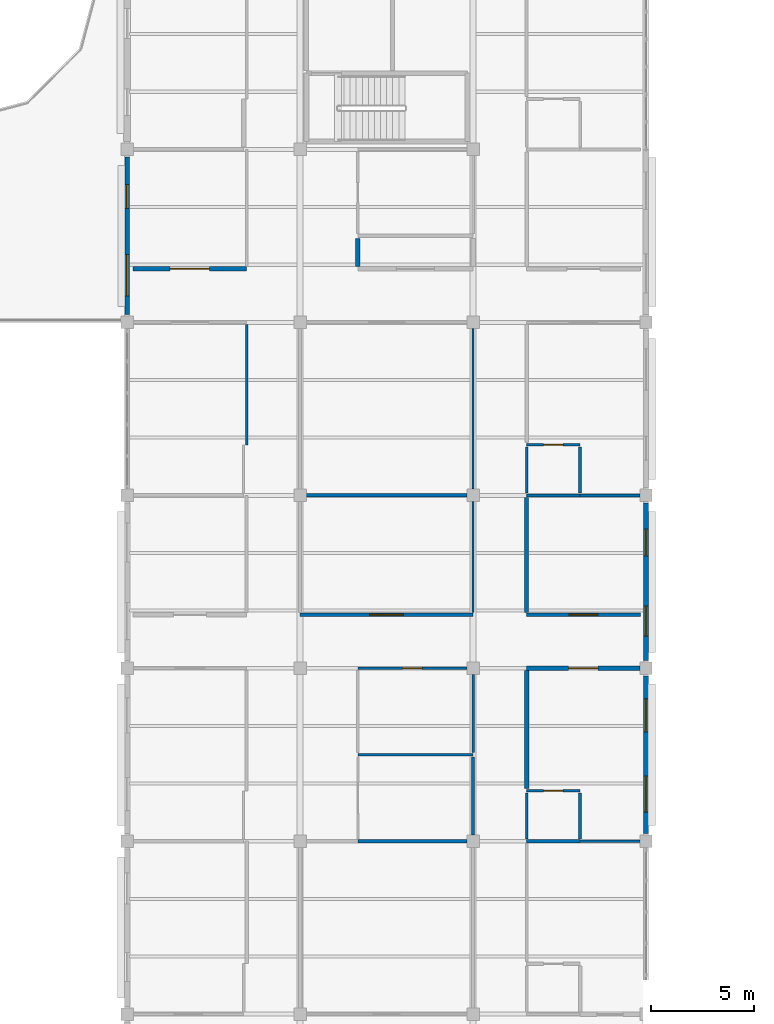
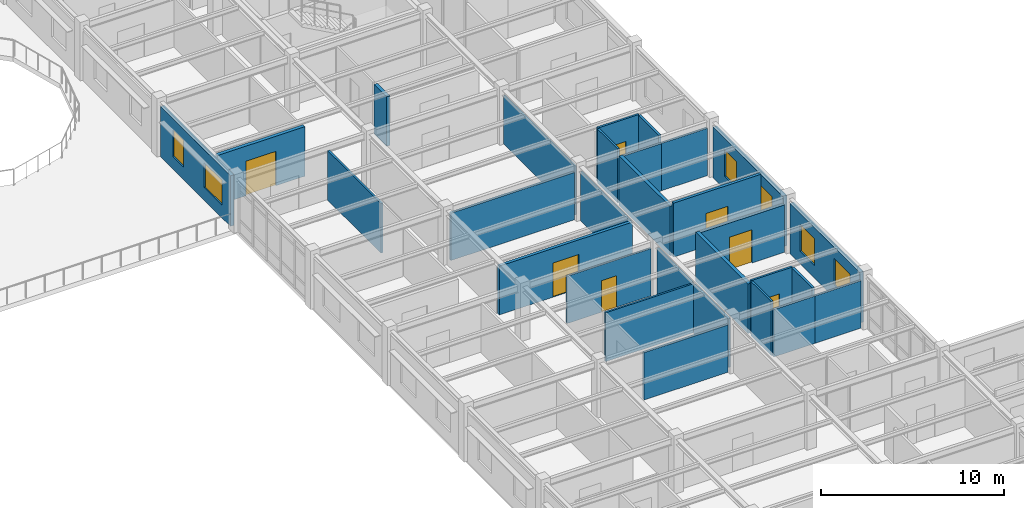
# One storey, part 54 of 86: 29 walls, 7 doors, 6 windows, 13 openings.
"""IFC4 building model written with IfcOpenShell, lengths in metres."""

from ifc_helpers import new_model, si_unit, direction, frame, frame_2d, origin, place, context, subcontext, project, spatial, rectangle, extrude, material, layer, layer_set, type_object, element, fill, save


model = new_model("IFC4")

# Units and contexts
model_context = context("Model", 3, precision=1e-05, world=origin(), true_north=direction((0.0, 1.0)))
body_context = subcontext(model_context, "Body", "Model", "MODEL_VIEW")
ifc_project = project(units=[si_unit("LENGTHUNIT", "METRE"), si_unit("AREAUNIT", "SQUARE_METRE"), si_unit("VOLUMEUNIT", "CUBIC_METRE"), si_unit("PLANEANGLEUNIT", "RADIAN"), si_unit("MASSUNIT", "GRAM", prefix="KILO")], contexts=[model_context])

# Site, building, storey
site_placement = place(None, origin())
site = spatial("IfcSite", under=ifc_project, at=site_placement, CompositionType="ELEMENT")
building_placement = place(site_placement, origin())
building = spatial("IfcBuilding", under=site, at=building_placement, Name="Bramfleet General Hospital", CompositionType="ELEMENT")
storey_placement = place(building_placement, frame((0.0, 0.0, 18.60009765625)))
storey = spatial("IfcBuildingStorey", under=building, at=storey_placement, Name="L04", CompositionType="ELEMENT", Elevation=18.60009765625)

# Wall, openings, windows
ifc_material_1 = material(Name="Precast concrete C40/50", Category="concrete")
ifc_layer_1 = layer(ifc_material_1, 0.25, Name="WT-EW-08")
ifc_layer_set_1 = layer_set([ifc_layer_1], Name="Precast concrete C40/50")
wall_type_1 = type_object("IfcWallType", Name="WT-EW-08", PredefinedType="SOLIDWALL", material=ifc_layer_set_1)
wall_1_placement = place(storey_placement, frame((117.60009765625, 50.02490234375, 0.0), z_axis=(0.0, 0.0, 1.0), x_axis=(0.0, -1.0, 0.0)))
wall_1 = element("IfcWall", 1, at=wall_1_placement, inside=storey, type_object=wall_type_1, Name="L04 Exterior Wall 307", PredefinedType="SOLIDWALL", context=body_context, shape_type="SweptSolid", body=[
    extrude(rectangle(XDim=7.64990234375, YDim=0.25, at=frame_2d((3.824951171875, 0.0))), origin(), (0.0, 0.0, 1.0), 3.3798828125),
])
opening_1_placement = place(wall_1_placement, frame((1.262451171875, 0.0, 0.85009765625)))
opening_1 = element("IfcOpeningElement", 2, at=opening_1_placement, cuts=wall_1, Name="Opening W-42", PredefinedType="OPENING", context=body_context, shape_type="SweptSolid", body=[
    extrude(rectangle(XDim=1.300048828125, YDim=1.780029296875, at=frame_2d((0.64990234375, 0.89013671875))), frame((0.0, 0.135009765625, 0.0), z_axis=(0.0, -1.0, 0.0), x_axis=(1.0, 0.0, 0.0)), (0.0, 0.0, 1.0), 0.27001953125),
])
opening_2_placement = place(wall_1_placement, frame((5.012451171875, 0.0, 0.85009765625)))
opening_2 = element("IfcOpeningElement", 3, at=opening_2_placement, cuts=wall_1, Name="Opening W-43", PredefinedType="OPENING", context=body_context, shape_type="SweptSolid", body=[
    extrude(rectangle(XDim=1.449951171875, YDim=1.780029296875, at=frame_2d((0.72509765625, 0.89013671875))), frame((0.0, 0.135009765625, 0.0), z_axis=(0.0, -1.0, 0.0), x_axis=(1.0, 0.0, 0.0)), (0.0, 0.0, 1.0), 0.27001953125),
])
ifc_material_2 = material(Name="Anodised aluminium and low-E triple glazing", Category="aluminium")
window_type_1 = type_object("IfcWindowType", Name="WIN-W-42", PartitioningType="SINGLE_PANEL", PredefinedType="WINDOW", material=ifc_material_2)
window_1_placement = place(opening_1_placement, origin())
window_1 = element("IfcWindow", 4, at=window_1_placement, inside=storey, type_object=window_type_1, Name="L04 Facade Window WIN-L04-307-1", OverallHeight=1.780029296875, OverallWidth=1.300048828125, PartitioningType="SINGLE_PANEL", PredefinedType="WINDOW", context=body_context, shape_type="SweptSolid", body=[
    extrude(rectangle(XDim=1.300048828125, YDim=1.780029296875, at=frame_2d((0.64990234375, 0.89013671875))), frame((0.0, 0.030029296875, 0.0), z_axis=(0.0, -1.0, 0.0), x_axis=(1.0, 0.0, 0.0)), (0.0, 0.0, 1.0), 0.06005859375),
])
fill(opening_1, window_1)
window_type_2 = type_object("IfcWindowType", Name="WIN-W-43", PartitioningType="SINGLE_PANEL", PredefinedType="WINDOW", material=ifc_material_2)
window_2_placement = place(opening_2_placement, origin())
window_2 = element("IfcWindow", 5, at=window_2_placement, inside=storey, type_object=window_type_2, Name="L04 Facade Window WIN-L04-307-2", OverallHeight=1.780029296875, OverallWidth=1.449951171875, PartitioningType="SINGLE_PANEL", PredefinedType="WINDOW", context=body_context, shape_type="SweptSolid", body=[
    extrude(rectangle(XDim=1.449951171875, YDim=1.780029296875, at=frame_2d((0.72509765625, 0.89013671875))), frame((0.0, 0.030029296875, 0.0), z_axis=(0.0, -1.0, 0.0), x_axis=(1.0, 0.0, 0.0)), (0.0, 0.0, 1.0), 0.06005859375),
])
fill(opening_2, window_2)

ifc_layer_2 = layer(ifc_material_1, 0.235107421875, Name="WT-EW-09")
ifc_layer_set_2 = layer_set([ifc_layer_2], Name="Precast concrete C40/50")
wall_type_2 = type_object("IfcWallType", Name="WT-EW-09", PredefinedType="SOLIDWALL", material=ifc_layer_set_2)
wall_2_placement = place(storey_placement, frame((117.60009765625, 41.625, 0.0), z_axis=(0.0, 0.0, 1.0), x_axis=(0.0, -1.0, 0.0)))
wall_2 = element("IfcWall", 6, at=wall_2_placement, inside=storey, type_object=wall_type_2, Name="L04 Exterior Wall 308", PredefinedType="SOLIDWALL", context=body_context, shape_type="SweptSolid", body=[
    extrude(rectangle(XDim=7.64990234375, YDim=0.235107421875, at=frame_2d((3.824951171875, 0.0))), origin(), (0.0, 0.0, 1.0), 3.3798828125),
])
opening_3_placement = place(wall_2_placement, frame((1.112548828125, 0.0, 0.85009765625)))
opening_3 = element("IfcOpeningElement", 7, at=opening_3_placement, cuts=wall_2, Name="Opening W-44", PredefinedType="OPENING", context=body_context, shape_type="SweptSolid", body=[
    extrude(rectangle(XDim=1.60009765625, YDim=1.780029296875, at=frame_2d((0.800048828125, 0.89013671875))), frame((0.0, 0.12744140625, 0.0), z_axis=(0.0, -1.0, 0.0), x_axis=(1.0, 0.0, 0.0)), (0.0, 0.0, 1.0), 0.255126953125),
])
opening_4_placement = place(wall_2_placement, frame((4.862548828125, 0.0, 0.85009765625)))
opening_4 = element("IfcOpeningElement", 8, at=opening_4_placement, cuts=wall_2, Name="Opening W-45", PredefinedType="OPENING", context=body_context, shape_type="SweptSolid", body=[
    extrude(rectangle(XDim=1.75, YDim=1.780029296875, at=frame_2d((0.875, 0.89013671875))), frame((0.0, 0.12744140625, 0.0), z_axis=(0.0, -1.0, 0.0), x_axis=(1.0, 0.0, 0.0)), (0.0, 0.0, 1.0), 0.255126953125),
])
window_type_3 = type_object("IfcWindowType", Name="WIN-W-44", PartitioningType="SINGLE_PANEL", PredefinedType="WINDOW", material=ifc_material_2)
window_3_placement = place(opening_3_placement, origin())
window_3 = element("IfcWindow", 9, at=window_3_placement, inside=storey, type_object=window_type_3, Name="L04 Facade Window WIN-L04-308-1", OverallHeight=1.780029296875, OverallWidth=1.60009765625, PartitioningType="SINGLE_PANEL", PredefinedType="WINDOW", context=body_context, shape_type="SweptSolid", body=[
    extrude(rectangle(XDim=1.60009765625, YDim=1.780029296875, at=frame_2d((0.800048828125, 0.89013671875))), frame((0.0, 0.030029296875, 0.0), z_axis=(0.0, -1.0, 0.0), x_axis=(1.0, 0.0, 0.0)), (0.0, 0.0, 1.0), 0.06005859375),
])
fill(opening_3, window_3)
window_type_4 = type_object("IfcWindowType", Name="WIN-W-45", PartitioningType="SINGLE_PANEL", PredefinedType="WINDOW", material=ifc_material_2)
window_4_placement = place(opening_4_placement, origin())
window_4 = element("IfcWindow", 10, at=window_4_placement, inside=storey, type_object=window_type_4, Name="L04 Facade Window WIN-L04-308-2", OverallHeight=1.780029296875, OverallWidth=1.75, PartitioningType="SINGLE_PANEL", PredefinedType="WINDOW", context=body_context, shape_type="SweptSolid", body=[
    extrude(rectangle(XDim=1.75, YDim=1.780029296875, at=frame_2d((0.875, 0.89013671875))), frame((0.0, 0.030029296875, 0.0), z_axis=(0.0, -1.0, 0.0), x_axis=(1.0, 0.0, 0.0)), (0.0, 0.0, 1.0), 0.06005859375),
])
fill(opening_4, window_4)

wall_3_placement = place(storey_placement, frame((92.39990234375, 59.175048828125, 0.0), z_axis=(0.0, 0.0, 1.0), x_axis=(0.0, 1.0, 0.0)))
wall_3 = element("IfcWall", 11, at=wall_3_placement, inside=storey, type_object=wall_type_2, Name="L04 Exterior Wall 329", PredefinedType="SOLIDWALL", context=body_context, shape_type="SweptSolid", body=[
    extrude(rectangle(XDim=7.64990234375, YDim=0.235107421875, at=frame_2d((3.824951171875, 0.0))), origin(), (0.0, 0.0, 1.0), 3.3798828125),
])
opening_5_placement = place(wall_3_placement, frame((0.91259765625, 0.0, 0.85009765625)))
opening_5 = element("IfcOpeningElement", 12, at=opening_5_placement, cuts=wall_3, Name="Opening W-40", PredefinedType="OPENING", context=body_context, shape_type="SweptSolid", body=[
    extrude(rectangle(XDim=2.0, YDim=1.659912109375, at=frame_2d((1.0, 0.830078125))), frame((0.0, 0.12744140625, 0.0), z_axis=(0.0, -1.0, 0.0), x_axis=(1.0, 0.0, 0.0)), (0.0, 0.0, 1.0), 0.255126953125),
])
opening_6_placement = place(wall_3_placement, frame((5.16259765625, 0.0, 0.85009765625)))
opening_6 = element("IfcOpeningElement", 13, at=opening_6_placement, cuts=wall_3, Name="Opening W-41", PredefinedType="OPENING", context=body_context, shape_type="SweptSolid", body=[
    extrude(rectangle(XDim=1.14990234375, YDim=1.780029296875, at=frame_2d((0.574951171875, 0.89013671875))), frame((0.0, 0.12744140625, 0.0), z_axis=(0.0, -1.0, 0.0), x_axis=(1.0, 0.0, 0.0)), (0.0, 0.0, 1.0), 0.255126953125),
])
window_type_5 = type_object("IfcWindowType", Name="WIN-W-40", PartitioningType="SINGLE_PANEL", PredefinedType="WINDOW", material=ifc_material_2)
window_5_placement = place(opening_5_placement, origin())
window_5 = element("IfcWindow", 14, at=window_5_placement, inside=storey, type_object=window_type_5, Name="L04 Facade Window WIN-L04-329-1", OverallHeight=1.659912109375, OverallWidth=2.0, PartitioningType="SINGLE_PANEL", PredefinedType="WINDOW", context=body_context, shape_type="SweptSolid", body=[
    extrude(rectangle(XDim=2.0, YDim=1.659912109375, at=frame_2d((1.0, 0.830078125))), frame((0.0, 0.030029296875, 0.0), z_axis=(0.0, -1.0, 0.0), x_axis=(1.0, 0.0, 0.0)), (0.0, 0.0, 1.0), 0.06005859375),
])
fill(opening_5, window_5)
window_type_6 = type_object("IfcWindowType", Name="WIN-W-41", PartitioningType="SINGLE_PANEL", PredefinedType="WINDOW", material=ifc_material_2)
window_6_placement = place(opening_6_placement, origin())
window_6 = element("IfcWindow", 15, at=window_6_placement, inside=storey, type_object=window_type_6, Name="L04 Facade Window WIN-L04-329-2", OverallHeight=1.780029296875, OverallWidth=1.14990234375, PartitioningType="SINGLE_PANEL", PredefinedType="WINDOW", context=body_context, shape_type="SweptSolid", body=[
    extrude(rectangle(XDim=1.14990234375, YDim=1.780029296875, at=frame_2d((0.574951171875, 0.89013671875))), frame((0.0, 0.030029296875, 0.0), z_axis=(0.0, -1.0, 0.0), x_axis=(1.0, 0.0, 0.0)), (0.0, 0.0, 1.0), 0.06005859375),
])
fill(opening_6, window_6)

# Wall, opening, door
ifc_material_3 = material(Name="Concrete C35/45", Category="concrete")
ifc_layer_3 = layer(ifc_material_3, 0.219970703125, Name="WT-IW-01")
ifc_layer_set_3 = layer_set([ifc_layer_3], Name="Concrete C35/45")
wall_type_3 = type_object("IfcWallType", Name="WT-IW-01", PredefinedType="PARTITIONING", material=ifc_layer_set_3)
wall_4_placement = place(storey_placement, frame((111.800048828125, 42.0, 0.0), z_axis=(0.0, 0.0, 1.0), x_axis=(1.0, 0.0, 0.0)))
wall_4 = element("IfcWall", 16, at=wall_4_placement, inside=storey, type_object=wall_type_3, Name="L04 Interior Partition IW-L04-3145", PredefinedType="PARTITIONING", context=body_context, shape_type="SweptSolid", body=[
    extrude(rectangle(XDim=5.5048828125, YDim=0.219970703125, at=frame_2d((2.75244140625, 0.0))), origin(), (0.0, 0.0, 1.0), 3.159912109375),
])
opening_7_placement = place(wall_4_placement, frame((2.04248046875, 0.0, 0.0)))
opening_7 = element("IfcOpeningElement", 17, at=opening_7_placement, cuts=wall_4, Name="Opening D1279", PredefinedType="OPENING", context=body_context, shape_type="SweptSolid", body=[
    extrude(rectangle(XDim=1.419921875, YDim=2.219970703125, at=frame_2d((0.7099609375, 1.10986328125))), frame((0.0, 0.119873046875, 0.0), z_axis=(0.0, -1.0, 0.0), x_axis=(1.0, 0.0, 0.0)), (0.0, 0.0, 1.0), 0.239990234375),
])
ifc_material_4 = material(Name="Stainless steel and acoustic timber leaf", Category="steel")
door_type_1 = type_object("IfcDoorType", Name="DR-D-31", OperationType="NOTDEFINED", PredefinedType="DOOR", material=ifc_material_4)
door_1_placement = place(opening_7_placement, origin())
door_1 = element("IfcDoor", 18, at=door_1_placement, inside=storey, type_object=door_type_1, Name="Surgical Inpatient Ward Bedroom L04-1304 Door D1279", OperationType="SINGLE_SWING_RIGHT", OverallHeight=2.219970703125, OverallWidth=1.419921875, PredefinedType="DOOR", context=body_context, shape_type="SweptSolid", body=[
    extrude(rectangle(XDim=1.419921875, YDim=2.219970703125, at=frame_2d((0.7099609375, 1.10986328125))), frame((0.0, 0.02490234375, 0.0), z_axis=(0.0, -1.0, 0.0), x_axis=(1.0, 0.0, 0.0)), (0.0, 0.0, 1.0), 0.050048828125),
])
fill(opening_7, door_1)

wall_5_placement = place(storey_placement, frame((92.679931640625, 61.39990234375, 0.0), z_axis=(0.0, 0.0, 1.0), x_axis=(1.0, 0.0, 0.0)))
wall_5 = element("IfcWall", 19, at=wall_5_placement, inside=storey, type_object=wall_type_3, Name="L04 Interior Partition IW-L04-3157", PredefinedType="PARTITIONING", context=body_context, shape_type="SweptSolid", body=[
    extrude(rectangle(XDim=5.52001953125, YDim=0.219970703125, at=frame_2d((2.760009765625, 0.0))), origin(), (0.0, 0.0, 1.0), 3.309814453125),
])
opening_8_placement = place(wall_5_placement, frame((1.81005859375, 0.0, 0.0)))
opening_8 = element("IfcOpeningElement", 20, at=opening_8_placement, cuts=wall_5, Name="Opening D1254", PredefinedType="OPENING", context=body_context, shape_type="SweptSolid", body=[
    extrude(rectangle(XDim=1.89990234375, YDim=2.300048828125, at=frame_2d((0.949951171875, 1.14990234375))), frame((0.0, 0.119873046875, 0.0), z_axis=(0.0, -1.0, 0.0), x_axis=(1.0, 0.0, 0.0)), (0.0, 0.0, 1.0), 0.239990234375),
])
door_type_2 = type_object("IfcDoorType", Name="DR-D-06", OperationType="NOTDEFINED", PredefinedType="DOOR", material=ifc_material_4)
door_2_placement = place(opening_8_placement, origin())
door_2 = element("IfcDoor", 21, at=door_2_placement, inside=storey, type_object=door_type_2, Name="Surgical Inpatient Ward Bedroom L04-1107 Door D1254", OperationType="DOUBLE_SWING_LEFT", OverallHeight=2.300048828125, OverallWidth=1.89990234375, PredefinedType="DOOR", context=body_context, shape_type="SweptSolid", body=[
    extrude(rectangle(XDim=1.89990234375, YDim=2.300048828125, at=frame_2d((0.949951171875, 1.14990234375))), frame((0.0, 0.02490234375, 0.0), z_axis=(0.0, -1.0, 0.0), x_axis=(1.0, 0.0, 0.0)), (0.0, 0.0, 1.0), 0.050048828125),
])
fill(opening_8, door_2)

# Walls
wall_6_placement = place(storey_placement, frame((111.800048828125, 36.1650390625, 0.0), z_axis=(0.0, 0.0, 1.0), x_axis=(0.0, 1.0, 0.0)))
element("IfcWall", 22, at=wall_6_placement, inside=storey, type_object=wall_type_3, Name="L04 Interior Partition IW-L04-3385", PredefinedType="PARTITIONING", context=body_context, shape_type="SweptSolid", body=[
    extrude(rectangle(XDim=5.719970703125, YDim=0.219970703125, at=frame_2d((2.85986328125, 0.0))), origin(), (0.0, 0.0, 1.0), 3.309814453125),
])
ifc_layer_4 = layer(ifc_material_3, 0.205078125, Name="WT-IW-02")
ifc_layer_set_4 = layer_set([ifc_layer_4], Name="Concrete C35/45")
wall_type_4 = type_object("IfcWallType", Name="WT-IW-02", PredefinedType="PARTITIONING", material=ifc_layer_set_4)
wall_7_placement = place(storey_placement, frame((103.60009765625, 61.514892578125, 0.0), z_axis=(0.0, 0.0, 1.0), x_axis=(0.0, 1.0, 0.0)))
element("IfcWall", 23, at=wall_7_placement, inside=storey, type_object=wall_type_4, Name="L04 Interior Partition IW-L04-3362", PredefinedType="PARTITIONING", context=body_context, shape_type="SweptSolid", body=[
    extrude(rectangle(XDim=1.3701171875, YDim=0.205078125, at=frame_2d((0.68505859375, 0.0))), origin(), (0.0, 0.0, 1.0), 3.309814453125),
])
wall_8_placement = place(storey_placement, frame((111.800048828125, 44.715087890625, 0.0), z_axis=(0.0, 0.0, 1.0), x_axis=(0.0, 1.0, 0.0)))
element("IfcWall", 24, at=wall_8_placement, inside=storey, type_object=wall_type_4, Name="L04 Interior Partition IW-L04-3386", PredefinedType="PARTITIONING", context=body_context, shape_type="SweptSolid", body=[
    extrude(rectangle(XDim=5.56982421875, YDim=0.205078125, at=frame_2d((2.784912109375, 0.0))), origin(), (0.0, 0.0, 1.0), 3.309814453125),
])

# Wall, opening, door
ifc_layer_5 = layer(ifc_material_3, 0.18994140625, Name="WT-IW-03")
ifc_layer_set_5 = layer_set([ifc_layer_5], Name="Concrete C35/45")
wall_type_5 = type_object("IfcWallType", Name="WT-IW-03", PredefinedType="PARTITIONING", material=ifc_layer_set_5)
wall_9_placement = place(storey_placement, frame((100.800048828125, 44.60009765625, 0.0), z_axis=(0.0, 0.0, 1.0), x_axis=(1.0, 0.0, 0.0)))
wall_9 = element("IfcWall", 25, at=wall_9_placement, inside=storey, type_object=wall_type_5, Name="L04 Interior Partition IW-L04-3147", PredefinedType="PARTITIONING", context=body_context, shape_type="SweptSolid", body=[
    extrude(rectangle(XDim=8.39990234375, YDim=0.18994140625, at=frame_2d((4.199951171875, 0.0))), origin(), (0.0, 0.0, 1.0), 3.260009765625),
])
opening_9_placement = place(wall_9_placement, frame((3.3798828125, 0.0, 0.0)))
opening_9 = element("IfcOpeningElement", 26, at=opening_9_placement, cuts=wall_9, Name="Opening D1266", PredefinedType="OPENING", context=body_context, shape_type="SweptSolid", body=[
    extrude(rectangle(XDim=1.639892578125, YDim=2.280029296875, at=frame_2d((0.81982421875, 1.14013671875))), frame((0.0, 0.10498046875, 0.0), z_axis=(0.0, -1.0, 0.0), x_axis=(1.0, 0.0, 0.0)), (0.0, 0.0, 1.0), 0.2099609375),
])
door_type_3 = type_object("IfcDoorType", Name="DR-D-18", OperationType="NOTDEFINED", PredefinedType="DOOR", material=ifc_material_4)
door_3_placement = place(opening_9_placement, origin())
door_3 = element("IfcDoor", 27, at=door_3_placement, inside=storey, type_object=door_type_3, Name="Ward Linen and Clean Utility L04-1205 Door D1266", OperationType="DOUBLE_SWING_LEFT", OverallHeight=2.280029296875, OverallWidth=1.639892578125, PredefinedType="DOOR", context=body_context, shape_type="SweptSolid", body=[
    extrude(rectangle(XDim=1.639892578125, YDim=2.280029296875, at=frame_2d((0.81982421875, 1.14013671875))), frame((0.0, 0.02490234375, 0.0), z_axis=(0.0, -1.0, 0.0), x_axis=(1.0, 0.0, 0.0)), (0.0, 0.0, 1.0), 0.050048828125),
])
fill(opening_9, door_3)

ifc_layer_6 = layer(ifc_material_3, 0.179931640625, Name="WT-IW-04")
ifc_layer_set_6 = layer_set([ifc_layer_6], Name="Concrete C35/45")
wall_type_6 = type_object("IfcWallType", Name="WT-IW-04", PredefinedType="PARTITIONING", material=ifc_layer_set_6)
wall_10_placement = place(storey_placement, frame((111.800048828125, 44.60009765625, 0.0), z_axis=(0.0, 0.0, 1.0), x_axis=(1.0, 0.0, 0.0)))
wall_10 = element("IfcWall", 28, at=wall_10_placement, inside=storey, type_object=wall_type_6, Name="L04 Interior Partition IW-L04-3148", PredefinedType="PARTITIONING", context=body_context, shape_type="SweptSolid", body=[
    extrude(rectangle(XDim=5.52001953125, YDim=0.179931640625, at=frame_2d((2.760009765625, 0.0))), origin(), (0.0, 0.0, 1.0), 3.60986328125),
])
opening_10_placement = place(wall_10_placement, frame((2.06005859375, 0.0, 0.0)))
opening_10 = element("IfcOpeningElement", 29, at=opening_10_placement, cuts=wall_10, Name="Opening D1281", PredefinedType="OPENING", context=body_context, shape_type="SweptSolid", body=[
    extrude(rectangle(XDim=1.39990234375, YDim=2.199951171875, at=frame_2d((0.699951171875, 1.10009765625))), frame((0.0, 0.099853515625, 0.0), z_axis=(0.0, -1.0, 0.0), x_axis=(1.0, 0.0, 0.0)), (0.0, 0.0, 1.0), 0.199951171875),
])
door_type_4 = type_object("IfcDoorType", Name="DR-D-01", OperationType="NOTDEFINED", PredefinedType="DOOR", material=ifc_material_4)
door_4_placement = place(opening_10_placement, origin())
door_4 = element("IfcDoor", 30, at=door_4_placement, inside=storey, type_object=door_type_4, Name="Surgical Inpatient Ward Bedroom L04-1305 Door D1281", OperationType="SINGLE_SWING_RIGHT", OverallHeight=2.199951171875, OverallWidth=1.39990234375, PredefinedType="DOOR", context=body_context, shape_type="SweptSolid", body=[
    extrude(rectangle(XDim=1.39990234375, YDim=2.199951171875, at=frame_2d((0.699951171875, 1.10009765625))), frame((0.0, 0.02490234375, 0.0), z_axis=(0.0, -1.0, 0.0), x_axis=(1.0, 0.0, 0.0)), (0.0, 0.0, 1.0), 0.050048828125),
])
fill(opening_10, door_4)

# Walls
ifc_material_5 = material(Name="Gypsum plasterboard on acoustic steel studs", Category="steel")
ifc_layer_7 = layer(ifc_material_5, 0.159912109375, Name="WT-IW-06")
ifc_layer_set_7 = layer_set([ifc_layer_7], Name="Gypsum plasterboard on acoustic steel studs")
wall_type_7 = type_object("IfcWallType", Name="WT-IW-06", PredefinedType="PARTITIONING", material=ifc_layer_set_7)
wall_11_placement = place(storey_placement, frame((103.60009765625, 33.60009765625, 0.0), z_axis=(0.0, 0.0, 1.0), x_axis=(1.0, 0.0, 0.0)))
element("IfcWall", 31, at=wall_11_placement, inside=storey, type_object=wall_type_7, Name="L04 Interior Partition IW-L04-3138", PredefinedType="PARTITIONING", context=body_context, shape_type="SweptSolid", body=[
    extrude(rectangle(XDim=5.304931640625, YDim=0.159912109375, at=frame_2d((2.65234375, 0.0))), origin(), (0.0, 0.0, 1.0), 3.159912109375),
])
wall_12_placement = place(storey_placement, frame((101.094970703125, 50.39990234375, 0.0), z_axis=(0.0, 0.0, 1.0), x_axis=(1.0, 0.0, 0.0)))
element("IfcWall", 32, at=wall_12_placement, inside=storey, type_object=wall_type_7, Name="L04 Interior Partition IW-L04-3150", PredefinedType="PARTITIONING", context=body_context, shape_type="SweptSolid", body=[
    extrude(rectangle(XDim=7.81005859375, YDim=0.159912109375, at=frame_2d((3.905029296875, 0.0))), origin(), (0.0, 0.0, 1.0), 3.159912109375),
])
ifc_layer_8 = layer(ifc_material_5, 0.14990234375, Name="WT-IW-07")
ifc_layer_set_8 = layer_set([ifc_layer_8], Name="Gypsum plasterboard on acoustic steel studs")
wall_type_8 = type_object("IfcWallType", Name="WT-IW-07", PredefinedType="PARTITIONING", material=ifc_layer_set_8)
for number, where, z_axis, x_axis, name in (
    (33, (111.800048828125, 33.60009765625, 0.0), (0.0, 0.0, 1.0), (1.0, 0.0, 0.0), "L04 Interior Partition IW-L04-3139"),
    (34, (111.800048828125, 50.39990234375, 0.0), (0.0, 0.0, 1.0), (1.0, 0.0, 0.0), "L04 Interior Partition IW-L04-3151"),
):
    element("IfcWall", number, at=place(storey_placement, frame(where, z_axis=z_axis, x_axis=x_axis)), inside=storey, type_object=wall_type_8, Name=name, PredefinedType="PARTITIONING", context=body_context, shape_type="SweptSolid", body=[
        extrude(rectangle(XDim=2.599853515625, YDim=0.14990234375, at=frame_2d((1.2998046875, 0.0))), origin(), (0.0, 0.0, 1.0), 3.159912109375),
    ])
wall_13_placement = place(storey_placement, frame((114.39990234375, 33.715087890625, 0.0), z_axis=(0.0, 0.0, 1.0), x_axis=(0.0, 1.0, 0.0)))
element("IfcWall", 35, at=wall_13_placement, inside=storey, type_object=wall_type_8, Name="L04 Interior Partition IW-L04-3403", PredefinedType="PARTITIONING", context=body_context, shape_type="SweptSolid", body=[
    extrude(rectangle(XDim=2.219970703125, YDim=0.14990234375, at=frame_2d((1.10986328125, 0.0))), origin(), (0.0, 0.0, 1.0), 3.60986328125),
])
ifc_layer_9 = layer(ifc_material_5, 0.139892578125, Name="WT-IW-08")
ifc_layer_set_9 = layer_set([ifc_layer_9], Name="Gypsum plasterboard on acoustic steel studs")
wall_type_9 = type_object("IfcWallType", Name="WT-IW-08", PredefinedType="PARTITIONING", material=ifc_layer_set_9)
for number, where, z_axis, x_axis, name in (
    (36, (114.39990234375, 33.60009765625, 0.0), (0.0, 0.0, 1.0), (1.0, 0.0, 0.0), "L04 Interior Partition IW-L04-3140"),
    (37, (114.39990234375, 50.39990234375, 0.0), (0.0, 0.0, 1.0), (1.0, 0.0, 0.0), "L04 Interior Partition IW-L04-3152"),
):
    element("IfcWall", number, at=place(storey_placement, frame(where, z_axis=z_axis, x_axis=x_axis)), inside=storey, type_object=wall_type_9, Name=name, PredefinedType="PARTITIONING", context=body_context, shape_type="SweptSolid", body=[
        extrude(rectangle(XDim=2.905029296875, YDim=0.139892578125, at=frame_2d((1.45263671875, 0.0))), origin(), (0.0, 0.0, 1.0), 3.159912109375),
    ])
wall_14_placement = place(storey_placement, frame((114.39990234375, 50.514892578125, 0.0), z_axis=(0.0, 0.0, 1.0), x_axis=(0.0, 1.0, 0.0)))
element("IfcWall", 38, at=wall_14_placement, inside=storey, type_object=wall_type_9, Name="L04 Interior Partition IW-L04-3404", PredefinedType="PARTITIONING", context=body_context, shape_type="SweptSolid", body=[
    extrude(rectangle(XDim=2.22021484375, YDim=0.139892578125, at=frame_2d((1.110107421875, 0.0))), origin(), (0.0, 0.0, 1.0), 3.60986328125),
])

# Wall, opening, door
ifc_layer_10 = layer(ifc_material_5, 0.1298828125, Name="WT-IW-09")
ifc_layer_set_10 = layer_set([ifc_layer_10], Name="Gypsum plasterboard on acoustic steel studs")
wall_type_10 = type_object("IfcWallType", Name="WT-IW-09", PredefinedType="PARTITIONING", material=ifc_layer_set_10)
wall_15_placement = place(storey_placement, frame((111.800048828125, 36.050048828125, 0.0), z_axis=(0.0, 0.0, 1.0), x_axis=(1.0, 0.0, 0.0)))
wall_15 = element("IfcWall", 39, at=wall_15_placement, inside=storey, type_object=wall_type_10, Name="L04 Interior Partition IW-L04-3141", PredefinedType="PARTITIONING", context=body_context, shape_type="SweptSolid", body=[
    extrude(rectangle(XDim=2.599853515625, YDim=0.1298828125, at=frame_2d((1.2998046875, 0.0))), origin(), (0.0, 0.0, 1.0), 3.60986328125),
])
opening_11_placement = place(wall_15_placement, frame((0.824951171875, 0.0, 0.0)))
opening_11 = element("IfcOpeningElement", 40, at=opening_11_placement, cuts=wall_15, Name="Opening D1280", PredefinedType="OPENING", context=body_context, shape_type="SweptSolid", body=[
    extrude(rectangle(XDim=0.949951171875, YDim=2.10009765625, at=frame_2d((0.47509765625, 1.050048828125))), frame((0.0, 0.074951171875, 0.0), z_axis=(0.0, -1.0, 0.0), x_axis=(1.0, 0.0, 0.0)), (0.0, 0.0, 1.0), 0.14990234375),
])
door_type_5 = type_object("IfcDoorType", Name="DR-D-10", OperationType="NOTDEFINED", PredefinedType="DOOR", material=ifc_material_4)
door_5_placement = place(opening_11_placement, origin())
door_5 = element("IfcDoor", 41, at=door_5_placement, inside=storey, type_object=door_type_5, Name="En-Suite Bathroom L04-1304 Door D1280", OperationType="SINGLE_SWING_LEFT", OverallHeight=2.10009765625, OverallWidth=0.949951171875, PredefinedType="DOOR", context=body_context, shape_type="SweptSolid", body=[
    extrude(rectangle(XDim=0.949951171875, YDim=2.10009765625, at=frame_2d((0.47509765625, 1.050048828125))), frame((0.0, 0.02490234375, 0.0), z_axis=(0.0, -1.0, 0.0), x_axis=(1.0, 0.0, 0.0)), (0.0, 0.0, 1.0), 0.050048828125),
])
fill(opening_11, door_5)

wall_16_placement = place(storey_placement, frame((111.800048828125, 52.85009765625, 0.0), z_axis=(0.0, 0.0, 1.0), x_axis=(1.0, 0.0, 0.0)))
wall_16 = element("IfcWall", 42, at=wall_16_placement, inside=storey, type_object=wall_type_10, Name="L04 Interior Partition IW-L04-3153", PredefinedType="PARTITIONING", context=body_context, shape_type="SweptSolid", body=[
    extrude(rectangle(XDim=2.599853515625, YDim=0.1298828125, at=frame_2d((1.2998046875, 0.0))), origin(), (0.0, 0.0, 1.0), 3.60986328125),
])
opening_12_placement = place(wall_16_placement, frame((0.824951171875, 0.0, 0.0)))
opening_12 = element("IfcOpeningElement", 43, at=opening_12_placement, cuts=wall_16, Name="Opening D1283", PredefinedType="OPENING", context=body_context, shape_type="SweptSolid", body=[
    extrude(rectangle(XDim=0.949951171875, YDim=2.10009765625, at=frame_2d((0.47509765625, 1.050048828125))), frame((0.0, 0.074951171875, 0.0), z_axis=(0.0, -1.0, 0.0), x_axis=(1.0, 0.0, 0.0)), (0.0, 0.0, 1.0), 0.14990234375),
])
door_6_placement = place(opening_12_placement, origin())
door_6 = element("IfcDoor", 44, at=door_6_placement, inside=storey, type_object=door_type_5, Name="En-Suite Bathroom L04-1306 Door D1283", OperationType="SINGLE_SWING_LEFT", OverallHeight=2.10009765625, OverallWidth=0.949951171875, PredefinedType="DOOR", context=body_context, shape_type="SweptSolid", body=[
    extrude(rectangle(XDim=0.949951171875, YDim=2.10009765625, at=frame_2d((0.47509765625, 1.050048828125))), frame((0.0, 0.02490234375, 0.0), z_axis=(0.0, -1.0, 0.0), x_axis=(1.0, 0.0, 0.0)), (0.0, 0.0, 1.0), 0.050048828125),
])
fill(opening_12, door_6)

# Walls
wall_17_placement = place(storey_placement, frame((98.199951171875, 52.85009765625, 0.0), z_axis=(0.0, 0.0, 1.0), x_axis=(0.0, 1.0, 0.0)))
element("IfcWall", 45, at=wall_17_placement, inside=storey, type_object=wall_type_10, Name="L04 Interior Partition IW-L04-3345", PredefinedType="PARTITIONING", context=body_context, shape_type="SweptSolid", body=[
    extrude(rectangle(XDim=5.8349609375, YDim=0.1298828125, at=frame_2d((2.91748046875, 0.0))), origin(), (0.0, 0.0, 1.0), 3.309814453125),
])
wall_18_placement = place(storey_placement, frame((109.199951171875, 33.89501953125, 0.0), z_axis=(0.0, 0.0, 1.0), x_axis=(0.0, 1.0, 0.0)))
element("IfcWall", 46, at=wall_18_placement, inside=storey, type_object=wall_type_10, Name="L04 Interior Partition IW-L04-3369", PredefinedType="PARTITIONING", context=body_context, shape_type="SweptSolid", body=[
    extrude(rectangle(XDim=3.7900390625, YDim=0.1298828125, at=frame_2d((1.89501953125, 0.0))), origin(), (0.0, 0.0, 1.0), 3.260009765625),
])
ifc_layer_11 = layer(ifc_material_5, 0.1201171875, Name="WT-IW-10")
ifc_layer_set_11 = layer_set([ifc_layer_11], Name="Gypsum plasterboard on acoustic steel studs")
wall_type_11 = type_object("IfcWallType", Name="WT-IW-10", PredefinedType="PARTITIONING", material=ifc_layer_set_11)
wall_19_placement = place(storey_placement, frame((103.60009765625, 37.800048828125, 0.0), z_axis=(0.0, 0.0, 1.0), x_axis=(1.0, 0.0, 0.0)))
element("IfcWall", 47, at=wall_19_placement, inside=storey, type_object=wall_type_11, Name="L04 Interior Partition IW-L04-3142", PredefinedType="PARTITIONING", context=body_context, shape_type="SweptSolid", body=[
    extrude(rectangle(XDim=5.599853515625, YDim=0.1201171875, at=frame_2d((2.7998046875, 0.0))), origin(), (0.0, 0.0, 1.0), 3.260009765625),
])

# Wall, opening, door
wall_20_placement = place(storey_placement, frame((103.60009765625, 42.0, 0.0), z_axis=(0.0, 0.0, 1.0), x_axis=(1.0, 0.0, 0.0)))
wall_20 = element("IfcWall", 48, at=wall_20_placement, inside=storey, type_object=wall_type_11, Name="L04 Interior Partition IW-L04-3144", PredefinedType="PARTITIONING", context=body_context, shape_type="SweptSolid", body=[
    extrude(rectangle(XDim=5.304931640625, YDim=0.1201171875, at=frame_2d((2.65234375, 0.0))), origin(), (0.0, 0.0, 1.0), 3.159912109375),
])
opening_13_placement = place(wall_20_placement, frame((2.177490234375, 0.0, 0.0)))
opening_13 = element("IfcOpeningElement", 49, at=opening_13_placement, cuts=wall_20, Name="Opening D1265", PredefinedType="OPENING", context=body_context, shape_type="SweptSolid", body=[
    extrude(rectangle(XDim=0.949951171875, YDim=2.10009765625, at=frame_2d((0.47509765625, 1.050048828125))), frame((0.0, 0.070068359375, 0.0), z_axis=(0.0, -1.0, 0.0), x_axis=(1.0, 0.0, 0.0)), (0.0, 0.0, 1.0), 0.14013671875),
])
door_7_placement = place(opening_13_placement, origin())
door_7 = element("IfcDoor", 50, at=door_7_placement, inside=storey, type_object=door_type_5, Name="L04 Accessible and Staff WC 1204 Door D1265", OperationType="SINGLE_SWING_LEFT", OverallHeight=2.10009765625, OverallWidth=0.949951171875, PredefinedType="DOOR", context=body_context, shape_type="SweptSolid", body=[
    extrude(rectangle(XDim=0.949951171875, YDim=2.10009765625, at=frame_2d((0.47509765625, 1.050048828125))), frame((0.0, 0.02490234375, 0.0), z_axis=(0.0, -1.0, 0.0), x_axis=(1.0, 0.0, 0.0)), (0.0, 0.0, 1.0), 0.050048828125),
])
fill(opening_13, door_7)

# Walls
wall_21_placement = place(storey_placement, frame((109.199951171875, 37.9150390625, 0.0), z_axis=(0.0, 0.0, 1.0), x_axis=(0.0, 1.0, 0.0)))
element("IfcWall", 51, at=wall_21_placement, inside=storey, type_object=wall_type_11, Name="L04 Interior Partition IW-L04-3370", PredefinedType="PARTITIONING", context=body_context, shape_type="SweptSolid", body=[
    extrude(rectangle(XDim=3.7900390625, YDim=0.1201171875, at=frame_2d((1.89501953125, 0.0))), origin(), (0.0, 0.0, 1.0), 3.260009765625),
])
wall_22_placement = place(storey_placement, frame((111.800048828125, 33.715087890625, 0.0), z_axis=(0.0, 0.0, 1.0), x_axis=(0.0, 1.0, 0.0)))
element("IfcWall", 52, at=wall_22_placement, inside=storey, type_object=wall_type_11, Name="L04 Interior Partition IW-L04-3384", PredefinedType="PARTITIONING", context=body_context, shape_type="SweptSolid", body=[
    extrude(rectangle(XDim=2.219970703125, YDim=0.1201171875, at=frame_2d((1.10986328125, 0.0))), origin(), (0.0, 0.0, 1.0), 3.60986328125),
])
wall_23_placement = place(storey_placement, frame((111.800048828125, 50.514892578125, 0.0), z_axis=(0.0, 0.0, 1.0), x_axis=(0.0, 1.0, 0.0)))
element("IfcWall", 53, at=wall_23_placement, inside=storey, type_object=wall_type_11, Name="L04 Interior Partition IW-L04-3387", PredefinedType="PARTITIONING", context=body_context, shape_type="SweptSolid", body=[
    extrude(rectangle(XDim=2.22021484375, YDim=0.1201171875, at=frame_2d((1.110107421875, 0.0))), origin(), (0.0, 0.0, 1.0), 3.60986328125),
])
ifc_layer_12 = layer(ifc_material_5, 0.112060546875, Name="WT-IW-11")
ifc_layer_set_12 = layer_set([ifc_layer_12], Name="Gypsum plasterboard on acoustic steel studs")
wall_type_12 = type_object("IfcWallType", Name="WT-IW-11", PredefinedType="PARTITIONING", material=ifc_layer_set_12)
wall_24_placement = place(storey_placement, frame((109.199951171875, 44.715087890625, 0.0), z_axis=(0.0, 0.0, 1.0), x_axis=(0.0, 1.0, 0.0)))
element("IfcWall", 54, at=wall_24_placement, inside=storey, type_object=wall_type_12, Name="L04 Interior Partition IW-L04-3371", PredefinedType="PARTITIONING", context=body_context, shape_type="SweptSolid", body=[
    extrude(rectangle(XDim=5.389892578125, YDim=0.112060546875, at=frame_2d((2.69482421875, 0.0))), origin(), (0.0, 0.0, 1.0), 3.260009765625),
])
ifc_layer_13 = layer(ifc_material_5, 0.10009765625, Name="WT-IW-12")
ifc_layer_set_13 = layer_set([ifc_layer_13], Name="Gypsum plasterboard on acoustic steel studs")
wall_type_13 = type_object("IfcWallType", Name="WT-IW-12", PredefinedType="PARTITIONING", material=ifc_layer_set_13)
wall_25_placement = place(storey_placement, frame((109.199951171875, 50.695068359375, 0.0), z_axis=(0.0, 0.0, 1.0), x_axis=(0.0, 1.0, 0.0)))
element("IfcWall", 55, at=wall_25_placement, inside=storey, type_object=wall_type_13, Name="L04 Interior Partition IW-L04-3372", PredefinedType="PARTITIONING", context=body_context, shape_type="SweptSolid", body=[
    extrude(rectangle(XDim=7.809814453125, YDim=0.10009765625, at=frame_2d((3.90478515625, 0.0))), origin(), (0.0, 0.0, 1.0), 3.260009765625),
])

save(model, "model.ifc")
